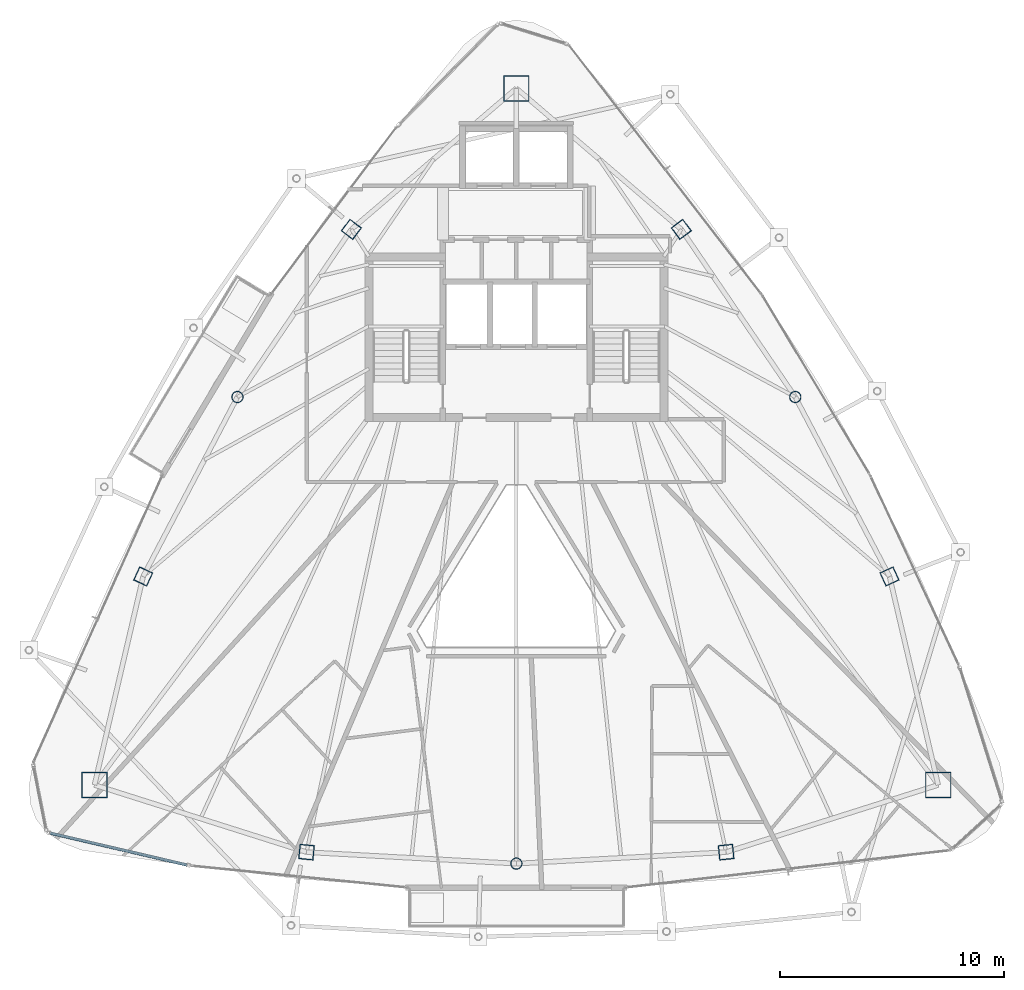
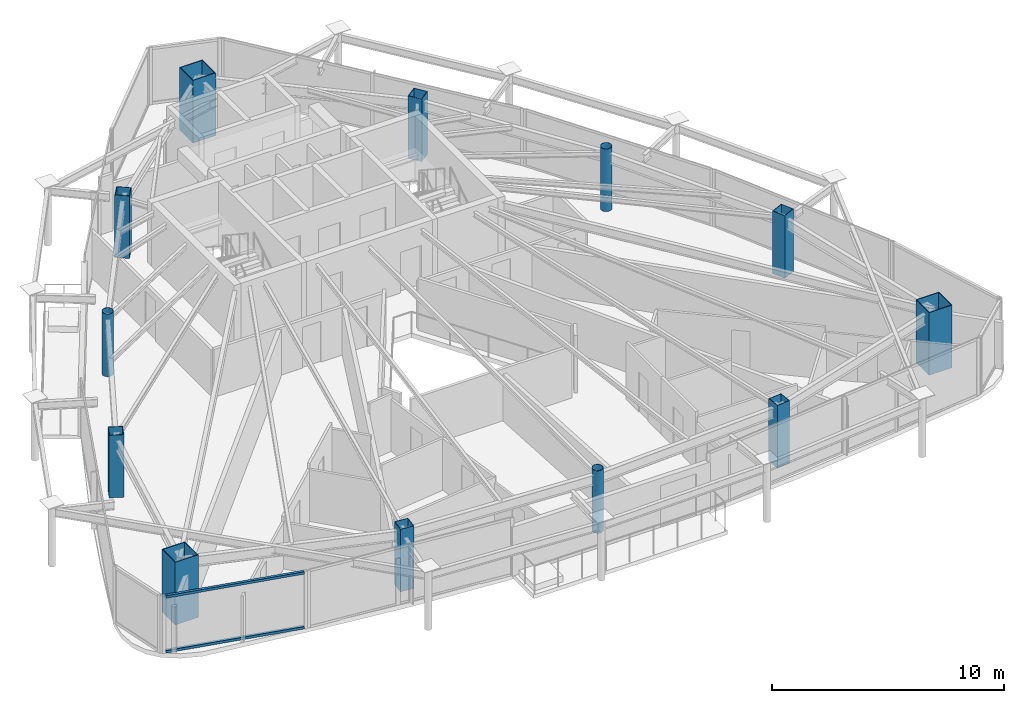
# One storey, part 1 of 30: 12 columns, 2 members, 1 element without a shape of its own.
"""IFC4 building model written with IfcOpenShell, lengths in metres."""

from ifc_helpers import new_model, si_unit, direction, frame, origin, origin_2d, place, context, subcontext, project, spatial, hollow_rectangle, hollow_circle, extrude, material, layer, layer_set, material_profile, profile_set, type_object, element, aggregate, save


model = new_model("IFC4")

# Units and contexts
model_context = context("Model", 3, precision=1e-05, world=origin(), true_north=direction((0.0, 1.0)))
body_context = subcontext(model_context, "Body", "Model", "MODEL_VIEW")
ifc_project = project(units=[si_unit("LENGTHUNIT", "METRE"), si_unit("AREAUNIT", "SQUARE_METRE"), si_unit("VOLUMEUNIT", "CUBIC_METRE"), si_unit("PLANEANGLEUNIT", "RADIAN"), si_unit("MASSUNIT", "GRAM", prefix="KILO")], contexts=[model_context])

# Site, building, storey
site_placement = place(None, origin())
site = spatial("IfcSite", under=ifc_project, at=site_placement, CompositionType="ELEMENT")
building_placement = place(site_placement, origin())
building = spatial("IfcBuilding", under=site, at=building_placement, Name="Orvanel Arch Residences", CompositionType="ELEMENT")
storey_placement = place(building_placement, frame((0.0, 0.0, 273.35009765625)))
storey = spatial("IfcBuildingStorey", under=building, at=storey_placement, Name="L78", CompositionType="ELEMENT", Elevation=273.35009765625)

# Columns
ifc_material_1 = material(Name="Structural steel AS/NZS 1163 C350L0 (Grade 350)", Category="steel")
ifc_material_profile_1 = material_profile(ifc_material_1, hollow_circle(Radius=0.25390625, WallThickness=0.01611328125, at=origin_2d()), Name="CHS508x16")
ifc_profile_set_1 = profile_set([ifc_material_profile_1], Name="Structural steel AS/NZS 1163 C350L0 (Grade 350)")
column_type_1 = type_object("IfcColumnType", Name="CC-508", PredefinedType="COLUMN", material=ifc_profile_set_1)
for number, where, z_axis, x_axis, name in (
    (1, (20.569091796875, 27.64111328125, 0.0), (0.0, 0.0, 1.0), (1.0, 0.0, 0.0), "L78 High-Rise Tube Column 02"),
    (2, (33.0, 6.843994140625, 0.0), (0.0, 0.0, 1.0), (1.0, 0.0, 0.0), "L78 High-Rise Tube Column 05"),
    (3, (45.430908203125, 27.64111328125, 0.0), (0.0, 0.0, 1.0), (1.0, 0.0, 0.0), "L78 High-Rise Tube Column 08"),
):
    element("IfcColumn", number, at=place(storey_placement, frame(where, z_axis=z_axis, x_axis=x_axis)), inside=storey, type_object=column_type_1, Name=name, PredefinedType="COLUMN", context=body_context, shape_type="SweptSolid", body=[
        extrude(hollow_circle(Radius=0.25390625, WallThickness=0.01611328125, at=origin_2d()), origin(), (0.0, 0.0, 1.0), 3.2998046875),
    ])
ifc_material_2 = material(Name="Structural steel AS/NZS 3678 Grade 450", Category="steel")
ifc_material_profile_2 = material_profile(ifc_material_2, hollow_rectangle(XDim=1.14990234375, YDim=1.14990234375, WallThickness=0.035888671875, at=origin_2d()), Name="BOX1150x1150x36")
ifc_profile_set_2 = profile_set([ifc_material_profile_2], Name="Structural steel AS/NZS 3678 Grade 450")
column_type_2 = type_object("IfcColumnType", Name="MC-1150", PredefinedType="COLUMN", material=ifc_profile_set_2)
for number, where, z_axis, x_axis, name in (
    (4, (33.0, 41.39794921875, 0.0), (0.0, 0.0, 1.0), (1.0, 0.0, 0.0), "L78 Corner Mega-Column 1"),
    (5, (14.198974609375, 10.35107421875, 0.0), (0.0, 0.0, 1.0), (1.0, 0.0, 0.0), "L78 Corner Mega-Column 2"),
    (6, (51.801025390625, 10.35107421875, 0.0), (0.0, 0.0, 1.0), (1.0, 0.0, 0.0), "L78 Corner Mega-Column 3"),
):
    element("IfcColumn", number, at=place(storey_placement, frame(where, z_axis=z_axis, x_axis=x_axis)), inside=storey, type_object=column_type_2, Name=name, PredefinedType="COLUMN", context=body_context, shape_type="SweptSolid", body=[
        extrude(hollow_rectangle(XDim=1.14990234375, YDim=1.14990234375, WallThickness=0.035888671875, at=origin_2d()), origin(), (0.0, 0.0, 1.0), 3.2998046875),
    ])
ifc_material_3 = material(Name="Structural steel AS/NZS 3678 Grade 350", Category="steel")
ifc_material_profile_3 = material_profile(ifc_material_3, hollow_rectangle(XDim=0.64990234375, YDim=0.64990234375, WallThickness=0.02197265625, at=origin_2d()), Name="BOX650x650x22")
ifc_profile_set_3 = profile_set([ifc_material_profile_3], Name="Structural steel AS/NZS 3678 Grade 350")
column_type_3 = type_object("IfcColumnType", Name="TC-650", PredefinedType="COLUMN", material=ifc_profile_set_3)
for number, where, z_axis, x_axis, name in (
    (7, (25.64794921875, 35.113037109375, 0.0), (0.0, 0.0, 1.0), (0.600420225326, 0.799684658487, 0.0), "L78 High-Rise Tube Column 01"),
    (8, (16.366943359375, 19.64208984375, 0.0), (0.0, 0.0, 1.0), (0.422618261741, 0.906307787037, 0.0), "L78 High-Rise Tube Column 03"),
    (9, (23.64892578125, 7.35498046875, 0.0), (0.0, 0.0, 1.0), (-0.994880708829, 0.101056297183, 0.0), "L78 High-Rise Tube Column 04"),
    (10, (42.35107421875, 7.35498046875, 0.0), (0.0, 0.0, 1.0), (0.994880708829, 0.101056297183, 0.0), "L78 High-Rise Tube Column 06"),
    (11, (49.633056640625, 19.64208984375, 0.0), (0.0, 0.0, 1.0), (-0.422618261741, 0.906307787037, 0.0), "L78 High-Rise Tube Column 07"),
    (12, (40.35205078125, 35.113037109375, 0.0), (0.0, 0.0, 1.0), (-0.600420225326, 0.799684658487, 0.0), "L78 High-Rise Tube Column 09"),
):
    element("IfcColumn", number, at=place(storey_placement, frame(where, z_axis=z_axis, x_axis=x_axis)), inside=storey, type_object=column_type_3, Name=name, PredefinedType="COLUMN", context=body_context, shape_type="SweptSolid", body=[
        extrude(hollow_rectangle(XDim=0.64990234375, YDim=0.64990234375, WallThickness=0.02197265625, at=origin_2d()), origin(), (0.0, 0.0, 1.0), 3.2998046875),
    ])

# Curtain wall, members
ifc_material_4 = material(Name="Bronze-anodised aluminium AA6063-T6", Category="aluminium")
ifc_layer = layer(ifc_material_4, 0.18994140625)
ifc_layer_set = layer_set([ifc_layer], Name="Bronze-anodised aluminium AA6063-T6")
curtain_wall_type = type_object("IfcCurtainWallType", Name="CW5-CRN-SYS", PredefinedType="NOTDEFINED", material=ifc_layer_set)
curtain_wall_placement = place(storey_placement, origin())
curtain_wall = element("IfcCurtainWall", 13, at=curtain_wall_placement, inside=storey, type_object=curtain_wall_type, Name="L78 CW5-CRN-SYS Unitised Curtain Wall", PredefinedType="NOTDEFINED")
ifc_material_profile_4 = material_profile(ifc_material_4, hollow_rectangle(XDim=0.1298828125, YDim=0.1298828125, WallThickness=0.00439453125, at=origin_2d()), Name="ALU130x130x4.5")
ifc_profile_set_4 = profile_set([ifc_material_profile_4], Name="Bronze-anodised aluminium AA6063-T6")
member_type = type_object("IfcMemberType", Name="TRN-130x130", PredefinedType="USERDEFINED", material=ifc_profile_set_4)
member_1_placement = place(storey_placement, frame((12.22412109375, 8.2041015625, 0.06494140625), z_axis=(0.97394708991, -0.226775364745, 0.0), x_axis=(0.226775364745, 0.97394708991, 0.0)))
member_1 = element("IfcMember", 14, at=member_1_placement, type_object=member_type, Name="CW-S5 transom 1.1", ObjectType="TRANSOM", PredefinedType="USERDEFINED", context=body_context, shape_type="SweptSolid", body=[
    extrude(hollow_rectangle(XDim=0.1298828125, YDim=0.1298828125, WallThickness=0.00439453125, at=origin_2d()), origin(), (0.0, 0.0, 1.0), 6.252685546875),
])
member_2_placement = place(storey_placement, frame((12.22412109375, 8.2041015625, 2.954833984375), z_axis=(0.97394708991, -0.226775364745, 0.0), x_axis=(0.226775364745, 0.97394708991, 0.0)))
member_2 = element("IfcMember", 15, at=member_2_placement, type_object=member_type, Name="CW-S5 transom 1.2", ObjectType="TRANSOM", PredefinedType="USERDEFINED", context=body_context, shape_type="SweptSolid", body=[
    extrude(hollow_rectangle(XDim=0.1298828125, YDim=0.1298828125, WallThickness=0.00439453125, at=origin_2d()), origin(), (0.0, 0.0, 1.0), 6.252685546875),
])
aggregate(curtain_wall, [member_1, member_2])

save(model, "model.ifc")
